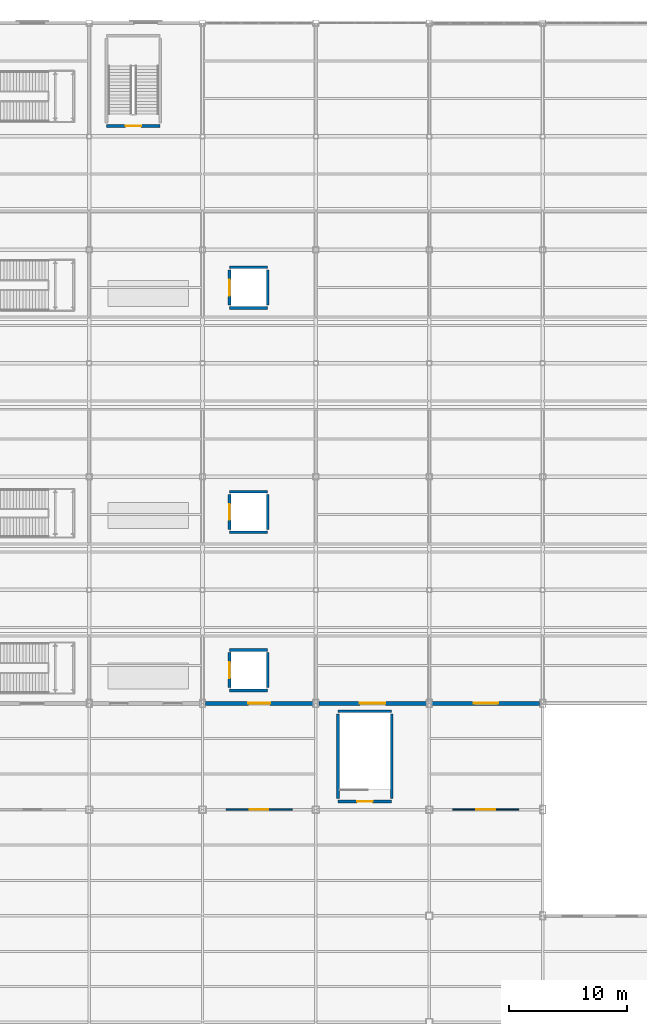
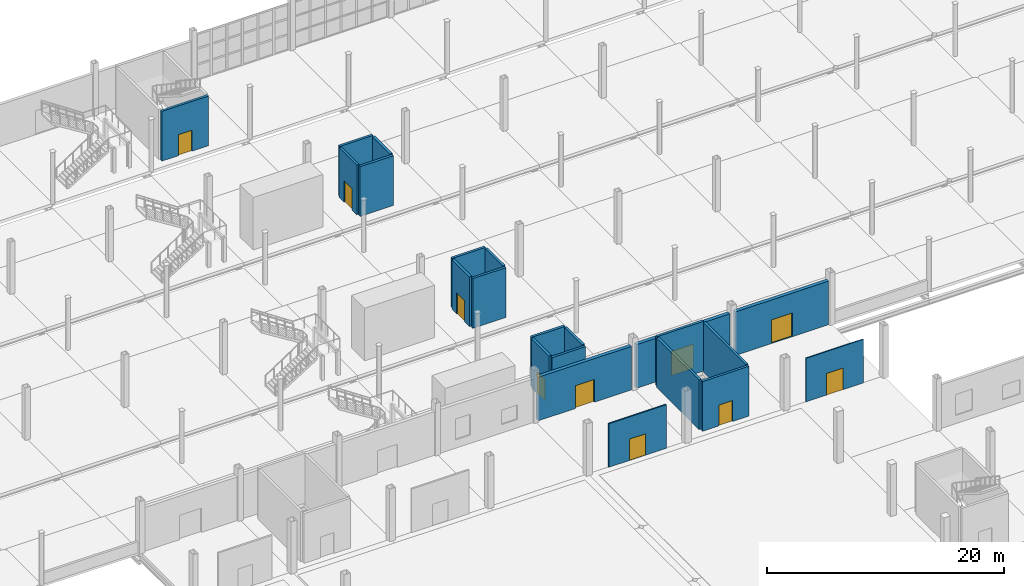
# One storey, part 70 of 85: 22 walls, 10 doors, 10 openings.
"""IFC4 building model written with IfcOpenShell, lengths in metres."""

import ifcopenshell
import ifcopenshell.guid

model = None  # the IFC model being written
_history = None  # IfcOwnerHistory: only IFC2X3 demands one
_inside = {}  # id of a spatial element -> (the spatial element, [elements in it])
_under = {}  # id of a project, library or spatial element -> (it, [spatial elements below it])
_declared = {}  # id of a project -> (the project, [libraries it declares])
_typed = {}  # id of a type object -> (the type object, [elements of that type])
_made_of = {}  # id of a material, layer set ... -> (it, [elements and type objects made of it])


def new_model(schema):
    """Start an empty IFC model of exactly this schema.

    Asked for "IFC4X3", IfcOpenShell would pick the latest addendum, in which some entities
    have other attributes; the version numbers below select the first issue.
    IFC2X3 requires an IfcOwnerHistory on every rooted entity: one is made here for all.
    """
    global model, _history
    if schema == "IFC4X3":
        model = ifcopenshell.file(schema_version=(4, 3, 0, 0))
    else:
        model = ifcopenshell.file(schema=schema)
    _inside.clear()
    _under.clear()
    _declared.clear()
    _typed.clear()
    _made_of.clear()
    _history = None
    if model.schema == "IFC2X3":
        org = make("IfcOrganization", Name="unknown")
        user = make(
            "IfcPersonAndOrganization",
            ThePerson=make("IfcPerson", FamilyName="unknown"),
            TheOrganization=org,
        )
        app = make(
            "IfcApplication",
            ApplicationDeveloper=org,
            Version="unknown",
            ApplicationFullName="unknown",
            ApplicationIdentifier="unknown",
        )
        _history = make(
            "IfcOwnerHistory",
            OwningUser=user,
            OwningApplication=app,
            ChangeAction="ADDED",
            CreationDate=0,
        )
    return model


def make(cls, **values):
    """One entity of the class cls with the attributes given. An attribute that is None is left unset."""
    return model.create_entity(
        cls, **{name: value for name, value in values.items() if value is not None}
    )


def rooted(cls, **values):
    """An entity with a GlobalId (a new one), such as an element, a storey or a relation."""
    return make(cls, GlobalId=ifcopenshell.guid.new(), OwnerHistory=_history, **values)


def si_unit(unit_type, name, prefix=None):
    """IfcSIUnit, for example si_unit("LENGTHUNIT", "METRE", prefix="MILLI")."""
    return make("IfcSIUnit", UnitType=unit_type, Prefix=prefix, Name=name)


def assignment(units):
    """IfcUnitAssignment: the units of a project."""
    return None if units is None else make("IfcUnitAssignment", Units=units)


def point(xyz):
    """IfcCartesianPoint."""
    return None if xyz is None else make("IfcCartesianPoint", Coordinates=xyz)


def direction(xyz):
    """IfcDirection."""
    return None if xyz is None else make("IfcDirection", DirectionRatios=xyz)


def frame(location, z_axis=None, x_axis=None):
    """IfcAxis2Placement3D, a coordinate frame: its origin and axes. An axis left out is left unset."""
    return make(
        "IfcAxis2Placement3D",
        Location=point(location),
        Axis=direction(z_axis),
        RefDirection=direction(x_axis),
    )


def frame_2d(location, x_axis=None):
    """IfcAxis2Placement2D, a coordinate frame in the plane: its origin and x axis."""
    return make(
        "IfcAxis2Placement2D", Location=point(location), RefDirection=direction(x_axis)
    )


def origin():
    """The frame at (0, 0, 0) with its axes left unset."""
    return frame((0.0, 0.0, 0.0))


def place(relative_to, where):
    """IfcLocalPlacement: puts the frame where relative to a parent placement (None: the world)."""
    return make(
        "IfcLocalPlacement", PlacementRelTo=relative_to, RelativePlacement=where
    )


def context(
    kind, dimensions, precision=None, world=None, true_north=None, identifier=None
):
    """IfcGeometricRepresentationContext, for example the 3D "Model" context."""
    return make(
        "IfcGeometricRepresentationContext",
        ContextIdentifier=identifier,
        ContextType=kind,
        CoordinateSpaceDimension=dimensions,
        Precision=precision,
        WorldCoordinateSystem=world,
        TrueNorth=true_north,
    )


def subcontext(parent, identifier, kind, view, scale=None):
    """IfcGeometricRepresentationSubContext, for example "Body" below "Model"."""
    return make(
        "IfcGeometricRepresentationSubContext",
        ContextIdentifier=identifier,
        ContextType=kind,
        ParentContext=parent,
        TargetScale=scale,
        TargetView=view,
    )


def project(units=None, contexts=None):
    """IfcProject with its units and contexts."""
    return rooted(
        "IfcProject",
        Name="project",
        RepresentationContexts=contexts,
        UnitsInContext=assignment(units),
    )


def spatial(cls, under=None, at=None, **own):
    """A site, building, storey or space (cls), placed at a placement, below another one or the project."""
    s = rooted(cls, ObjectPlacement=at, **own)
    if under is not None:
        _under.setdefault(under.id(), (under, []))[1].append(s)
    return s


def profile(cls, at=None, kind="AREA", **sizes):
    """A parametric profile (cls). Its sizes go by their IFC names, for example OverallWidth=200.0."""
    return make(cls, ProfileType=kind, Position=at, **sizes)


def rectangle(**sizes):
    """IfcRectangleProfileDef."""
    return profile("IfcRectangleProfileDef", **sizes)


def extrude(swept, where, along, depth):
    """IfcExtrudedAreaSolid: the profile swept, set in the frame where, extruded along a direction by depth."""
    return make(
        "IfcExtrudedAreaSolid",
        SweptArea=swept,
        Position=where,
        ExtrudedDirection=direction(along),
        Depth=depth,
    )


def shape(context_of_items, identifier, shape_type, items):
    """IfcShapeRepresentation: the items that make up one representation, for example the "Body"."""
    return make(
        "IfcShapeRepresentation",
        ContextOfItems=context_of_items,
        RepresentationIdentifier=identifier,
        RepresentationType=shape_type,
        Items=items,
    )


def material(Name=None, Category=None):
    """IfcMaterial."""
    return make("IfcMaterial", Name=Name, Category=Category)


def layer(
    of_material, thickness, ventilated=None, Name=None, Category=None, Priority=None
):
    """IfcMaterialLayer: one layer of a wall or slab, of a material (None: an air gap)."""
    return make(
        "IfcMaterialLayer",
        Material=of_material,
        LayerThickness=thickness,
        IsVentilated=ventilated,
        Name=Name,
        Category=Category,
        Priority=Priority,
    )


def layer_set(layers, Name=None):
    """IfcMaterialLayerSet."""
    return make("IfcMaterialLayerSet", MaterialLayers=layers, LayerSetName=Name)


def made_of(thing, what):
    """Note that an element or type object is made of a material, layer set ...; save() writes the relation."""
    if what is not None:
        _made_of.setdefault(what.id(), (what, []))[1].append(thing)
    return thing


def type_object(cls, material=None, **own):
    """A type object (cls), such as IfcWallType, which elements share."""
    return made_of(rooted(cls, **own), material)


def element(
    cls,
    number,
    at=None,
    inside=None,
    cuts=None,
    type_object=None,
    material=None,
    context=None,
    identifier="Body",
    shape_type=None,
    held_by="IfcProductDefinitionShape",
    body=None,
    shapes=None,
    **own,
):
    """One element of the class cls, such as IfcWall. Its Tag is "e" and its number.

    at: its placement. inside: the storey or other place that contains it. cuts: it is an
    opening in that element (IfcRelVoidsElement). A single representation is given by context,
    identifier, shape_type and body (its items); several are given by shapes. held_by: the class
    of the entity that holds the representations. save() writes the other relations.
    """
    e = rooted(cls, Tag="e%d" % number, ObjectPlacement=at, **own)
    if body is not None:
        shapes = [shape(context, identifier, shape_type, body)]
    if shapes is not None:
        e.Representation = make(held_by, Representations=shapes)
    if inside is not None:
        _inside.setdefault(inside.id(), (inside, []))[1].append(e)
    if cuts is not None:
        rooted(
            "IfcRelVoidsElement", RelatingBuildingElement=cuts, RelatedOpeningElement=e
        )
    if type_object is not None:
        _typed.setdefault(type_object.id(), (type_object, []))[1].append(e)
    return made_of(e, material)


def fill(opening, filler):
    """IfcRelFillsElement: the door or window that sits in an opening."""
    return rooted(
        "IfcRelFillsElement",
        RelatingOpeningElement=opening,
        RelatedBuildingElement=filler,
    )


def aggregate(whole, parts):
    """IfcRelAggregates: a whole, such as a stair, and the parts it consists of."""
    return rooted("IfcRelAggregates", RelatingObject=whole, RelatedObjects=parts)


def save(model, path):
    """Write the relations noted so far, then the file.

    IfcRelAggregates (storeys below a building ...), IfcRelContainedInSpatialStructure (elements
    in a storey), IfcRelDefinesByType, IfcRelAssociatesMaterial and IfcRelDeclares: one each for
    every whole, place, type object, material and project.
    """
    for whole, parts in _under.values():
        aggregate(whole, parts)
    for where, things in _inside.values():
        rooted(
            "IfcRelContainedInSpatialStructure",
            RelatedElements=things,
            RelatingStructure=where,
        )
    for kind, things in _typed.values():
        rooted("IfcRelDefinesByType", RelatedObjects=things, RelatingType=kind)
    for what, things in _made_of.values():
        rooted("IfcRelAssociatesMaterial", RelatedObjects=things, RelatingMaterial=what)
    for by, libraries in _declared.values():
        rooted("IfcRelDeclares", RelatingContext=by, RelatedDefinitions=libraries)
    model.write(path)


model = new_model("IFC4")

# Units and contexts
model_context = context("Model", 3, precision=1e-05, world=origin(), true_north=direction((0.0, 1.0)))
body_context = subcontext(model_context, "Body", "Model", "MODEL_VIEW")
ifc_project = project(units=[si_unit("LENGTHUNIT", "METRE"), si_unit("AREAUNIT", "SQUARE_METRE"), si_unit("VOLUMEUNIT", "CUBIC_METRE"), si_unit("PLANEANGLEUNIT", "RADIAN"), si_unit("MASSUNIT", "GRAM", prefix="KILO")], contexts=[model_context])

# Site, building, storey
site_placement = place(None, origin())
site = spatial("IfcSite", under=ifc_project, at=site_placement, CompositionType="ELEMENT")
building_placement = place(site_placement, origin())
building = spatial("IfcBuilding", under=site, at=building_placement, Name="Zarnetskaya Central Station", CompositionType="ELEMENT")
storey_placement = place(building_placement, origin())
storey = spatial("IfcBuildingStorey", under=building, at=storey_placement, Name="L00", CompositionType="ELEMENT", Elevation=0.0)

# Wall, opening, door
ifc_material_1 = material(Name="Gypsum stud partition")
ifc_layer_1 = layer(ifc_material_1, 0.10009765625, Name="Gypsum stud partition")
ifc_layer_set_1 = layer_set([ifc_layer_1], Name="Gypsum stud partition")
wall_type_1 = type_object("IfcWallType", Name="PART-LGT-100", PredefinedType="PARTITIONING", material=ifc_layer_set_1)
wall_1_placement = place(storey_placement, frame((122.800048828125, 58.199951171875, 0.0), z_axis=(0.0, 0.0, 1.0), x_axis=(-1.0, 0.0, 0.0)))
wall_1 = element("IfcWall", 1, at=wall_1_placement, inside=storey, type_object=wall_type_1, Name="Interior partition IPRT-L00-0390", PredefinedType="PARTITIONING", context=body_context, shape_type="SweptSolid", body=[
    extrude(rectangle(XDim=5.60009765625, YDim=0.10009765625, at=frame_2d((2.800048828125, 0.0))), origin(), (0.0, 0.0, 1.0), 4.489990234375),
])
opening_1_placement = place(wall_1_placement, frame((1.989990234375, 0.0, 0.0)))
opening_1 = element("IfcOpeningElement", 2, at=opening_1_placement, cuts=wall_1, Name="Opening DR-13", PredefinedType="OPENING", context=body_context, shape_type="SweptSolid", body=[
    extrude(rectangle(XDim=1.6201171875, YDim=2.219970703125, at=frame_2d((0.81005859375, 1.10986328125))), frame((0.0, 0.06005859375, 0.0), z_axis=(0.0, -1.0, 0.0), x_axis=(1.0, 0.0, 0.0)), (0.0, 0.0, 1.0), 0.1201171875),
])
ifc_material_2 = material(Name="Anodised aluminium", Category="aluminium")
door_type_1 = type_object("IfcDoorType", Name="DR-INT-16", OperationType="NOTDEFINED", PredefinedType="DOOR", material=ifc_material_2)
door_1_placement = place(opening_1_placement, origin())
door_1 = element("IfcDoor", 3, at=door_1_placement, inside=storey, type_object=door_type_1, Name="North Eaves Priority Waiting Salon door", OperationType="SINGLE_SWING_RIGHT", OverallHeight=2.219970703125, OverallWidth=1.6201171875, PredefinedType="DOOR", context=body_context, shape_type="SweptSolid", body=[
    extrude(rectangle(XDim=1.6201171875, YDim=2.219970703125, at=frame_2d((0.81005859375, 1.10986328125))), frame((0.0, 0.02490234375, 0.0), z_axis=(0.0, -1.0, 0.0), x_axis=(1.0, 0.0, 0.0)), (0.0, 0.0, 1.0), 0.050048828125),
])
fill(opening_1, door_1)

ifc_material_3 = material(Name="Gypsum acoustic partition")
ifc_layer_2 = layer(ifc_material_3, 0.1298828125, Name="Gypsum acoustic partition")
ifc_layer_set_2 = layer_set([ifc_layer_2], Name="Gypsum acoustic partition")
wall_type_2 = type_object("IfcWallType", Name="PART-OFF-130", PredefinedType="PARTITIONING", material=ifc_layer_set_2)
wall_2_placement = place(storey_placement, frame((103.60009765625, 58.199951171875, 0.0), z_axis=(0.0, 0.0, 1.0), x_axis=(-1.0, 0.0, 0.0)))
wall_2 = element("IfcWall", 4, at=wall_2_placement, inside=storey, type_object=wall_type_2, Name="Interior partition IPRT-L00-0389", PredefinedType="PARTITIONING", context=body_context, shape_type="SweptSolid", body=[
    extrude(rectangle(XDim=5.60009765625, YDim=0.1298828125, at=frame_2d((2.800048828125, 0.0))), origin(), (0.0, 0.0, 1.0), 4.489990234375),
])
opening_2_placement = place(wall_2_placement, frame((2.02001953125, 0.0, 0.0)))
opening_2 = element("IfcOpeningElement", 5, at=opening_2_placement, cuts=wall_2, Name="Opening DR-10", PredefinedType="OPENING", context=body_context, shape_type="SweptSolid", body=[
    extrude(rectangle(XDim=1.56005859375, YDim=2.199951171875, at=frame_2d((0.780029296875, 1.10009765625))), frame((0.0, 0.074951171875, 0.0), z_axis=(0.0, -1.0, 0.0), x_axis=(1.0, 0.0, 0.0)), (0.0, 0.0, 1.0), 0.14990234375),
])
door_type_2 = type_object("IfcDoorType", Name="DR-INT-15", OperationType="NOTDEFINED", PredefinedType="DOOR", material=ifc_material_2)
door_2_placement = place(opening_2_placement, origin())
door_2 = element("IfcDoor", 6, at=door_2_placement, inside=storey, type_object=door_type_2, Name="North Eaves Passenger Waiting Lounge East door", OperationType="SINGLE_SWING_LEFT", OverallHeight=2.199951171875, OverallWidth=1.56005859375, PredefinedType="DOOR", context=body_context, shape_type="SweptSolid", body=[
    extrude(rectangle(XDim=1.56005859375, YDim=2.199951171875, at=frame_2d((0.780029296875, 1.10009765625))), frame((0.0, 0.02490234375, 0.0), z_axis=(0.0, -1.0, 0.0), x_axis=(1.0, 0.0, 0.0)), (0.0, 0.0, 1.0), 0.050048828125),
])
fill(opening_2, door_2)

ifc_material_4 = material(Name="Precast concrete C40/50", Category="concrete")
ifc_layer_3 = layer(ifc_material_4, 0.340087890625, Name="Precast concrete C40/50", Category="concrete")
ifc_layer_set_3 = layer_set([ifc_layer_3], Name="Precast concrete C40/50")
wall_type_3 = type_object("IfcWallType", Name="WALL-EAVE-340", PredefinedType="SOLIDWALL", material=ifc_layer_set_3)
wall_3_placement = place(storey_placement, frame((96.25, 67.199951171875, 0.0), z_axis=(0.0, 0.0, 1.0), x_axis=(1.0, 0.0, 0.0)))
wall_3 = element("IfcWall", 7, at=wall_3_placement, inside=storey, type_object=wall_type_3, Name="Exterior precast wall EW-L00-962-672-1054-672", PredefinedType="SOLIDWALL", context=body_context, shape_type="SweptSolid", body=[
    extrude(rectangle(XDim=9.10009765625, YDim=0.340087890625, at=frame_2d((4.550048828125, 0.0))), origin(), (0.0, 0.0, 1.0), 4.489990234375),
])
opening_3_placement = place(wall_3_placement, frame((3.625, 0.0, 0.0)))
opening_3 = element("IfcOpeningElement", 8, at=opening_3_placement, cuts=wall_3, Name="Opening ED-11", PredefinedType="OPENING", context=body_context, shape_type="SweptSolid", body=[
    extrude(rectangle(XDim=1.85009765625, YDim=2.35009765625, at=frame_2d((0.925048828125, 1.175048828125))), frame((0.0, 0.18017578125, 0.0), z_axis=(0.0, -1.0, 0.0), x_axis=(1.0, 0.0, 0.0)), (0.0, 0.0, 1.0), 0.360107421875),
])
door_type_3 = type_object("IfcDoorType", Name="DR-EXT-185x235", OperationType="NOTDEFINED", PredefinedType="DOOR", material=ifc_material_2)
door_3_placement = place(opening_3_placement, origin())
door_3 = element("IfcDoor", 9, at=door_3_placement, inside=storey, type_object=door_type_3, Name="Pedestrian final exit door ED-16", OperationType="DOUBLE_DOOR_SINGLE_SWING", OverallHeight=2.35009765625, OverallWidth=1.85009765625, PredefinedType="DOOR", context=body_context, shape_type="SweptSolid", body=[
    extrude(rectangle(XDim=1.85009765625, YDim=2.35009765625, at=frame_2d((0.925048828125, 1.175048828125))), frame((0.0, 0.02490234375, 0.0), z_axis=(0.0, -1.0, 0.0), x_axis=(1.0, 0.0, 0.0)), (0.0, 0.0, 1.0), 0.050048828125),
])
fill(opening_3, door_3)

wall_4_placement = place(storey_placement, frame((105.85009765625, 67.199951171875, 0.0), z_axis=(0.0, 0.0, 1.0), x_axis=(1.0, 0.0, 0.0)))
wall_4 = element("IfcWall", 10, at=wall_4_placement, inside=storey, type_object=wall_type_3, Name="Exterior precast wall EW-L00-1058-672-1150-672", PredefinedType="SOLIDWALL", context=body_context, shape_type="SweptSolid", body=[
    extrude(rectangle(XDim=9.099853515625, YDim=0.340087890625, at=frame_2d((4.5498046875, 0.0))), origin(), (0.0, 0.0, 1.0), 4.489990234375),
])
opening_4_placement = place(wall_4_placement, frame((3.47509765625, 0.0, 0.0)))
opening_4 = element("IfcOpeningElement", 11, at=opening_4_placement, cuts=wall_4, Name="Opening ED-13", PredefinedType="OPENING", context=body_context, shape_type="SweptSolid", body=[
    extrude(rectangle(XDim=2.14990234375, YDim=2.5, at=frame_2d((1.074951171875, 1.25))), frame((0.0, 0.18017578125, 0.0), z_axis=(0.0, -1.0, 0.0), x_axis=(1.0, 0.0, 0.0)), (0.0, 0.0, 1.0), 0.360107421875),
])
door_type_4 = type_object("IfcDoorType", Name="DR-EXT-215x250", OperationType="NOTDEFINED", PredefinedType="DOOR", material=ifc_material_2)
door_4_placement = place(opening_4_placement, origin())
door_4 = element("IfcDoor", 12, at=door_4_placement, inside=storey, type_object=door_type_4, Name="Pedestrian final exit door ED-18", OperationType="DOUBLE_DOOR_SINGLE_SWING", OverallHeight=2.5, OverallWidth=2.14990234375, PredefinedType="DOOR", context=body_context, shape_type="SweptSolid", body=[
    extrude(rectangle(XDim=2.14990234375, YDim=2.5, at=frame_2d((1.074951171875, 1.25))), frame((0.0, 0.02490234375, 0.0), z_axis=(0.0, -1.0, 0.0), x_axis=(1.0, 0.0, 0.0)), (0.0, 0.0, 1.0), 0.050048828125),
])
fill(opening_4, door_4)

wall_5_placement = place(storey_placement, frame((115.449951171875, 67.199951171875, 0.0), z_axis=(0.0, 0.0, 1.0), x_axis=(1.0, 0.0, 0.0)))
wall_5 = element("IfcWall", 13, at=wall_5_placement, inside=storey, type_object=wall_type_3, Name="Exterior precast wall EW-L00-1154-672-1246-672", PredefinedType="SOLIDWALL", context=body_context, shape_type="SweptSolid", body=[
    extrude(rectangle(XDim=9.10009765625, YDim=0.340087890625, at=frame_2d((4.550048828125, 0.0))), origin(), (0.0, 0.0, 1.0), 4.489990234375),
])
opening_5_placement = place(wall_5_placement, frame((3.52490234375, 0.0, 0.0)))
opening_5 = element("IfcOpeningElement", 14, at=opening_5_placement, cuts=wall_5, Name="Opening ED-14", PredefinedType="OPENING", context=body_context, shape_type="SweptSolid", body=[
    extrude(rectangle(XDim=2.050048828125, YDim=2.449951171875, at=frame_2d((1.02490234375, 1.22509765625))), frame((0.0, 0.18017578125, 0.0), z_axis=(0.0, -1.0, 0.0), x_axis=(1.0, 0.0, 0.0)), (0.0, 0.0, 1.0), 0.360107421875),
])
door_type_5 = type_object("IfcDoorType", Name="DR-EXT-205x245", OperationType="NOTDEFINED", PredefinedType="DOOR", material=ifc_material_2)
door_5_placement = place(opening_5_placement, origin())
door_5 = element("IfcDoor", 15, at=door_5_placement, inside=storey, type_object=door_type_5, Name="Pedestrian final exit door ED-20", OperationType="DOUBLE_DOOR_SINGLE_SWING", OverallHeight=2.449951171875, OverallWidth=2.050048828125, PredefinedType="DOOR", context=body_context, shape_type="SweptSolid", body=[
    extrude(rectangle(XDim=2.050048828125, YDim=2.449951171875, at=frame_2d((1.02490234375, 1.22509765625))), frame((0.0, 0.02490234375, 0.0), z_axis=(0.0, -1.0, 0.0), x_axis=(1.0, 0.0, 0.0)), (0.0, 0.0, 1.0), 0.050048828125),
])
fill(opening_5, door_5)

# Walls
ifc_material_5 = material(Name="Concrete C35/45", Category="concrete")
ifc_layer_4 = layer(ifc_material_5, 0.239990234375, Name="Concrete C35/45", Category="concrete")
ifc_layer_set_4 = layer_set([ifc_layer_4], Name="Concrete C35/45")
wall_type_4 = type_object("IfcWallType", Name="WALL-SHFT-240", PredefinedType="SHEAR", material=ifc_layer_set_4)
for number, where, z_axis, x_axis, name in (
    (16, (101.52001953125, 68.280029296875, 0.0), (0.0, 0.0, 1.0), (-1.0, 0.0, 0.0), "Core shear wall WSHF-L00-0141"),
    (17, (98.280029296875, 71.719970703125, 0.0), (0.0, 0.0, 1.0), (1.0, 0.0, 0.0), "Core shear wall WSHF-L00-0142"),
):
    element("IfcWall", number, at=place(storey_placement, frame(where, z_axis=z_axis, x_axis=x_axis)), inside=storey, type_object=wall_type_4, Name=name, PredefinedType="SHEAR", context=body_context, shape_type="SweptSolid", body=[
        extrude(rectangle(XDim=3.239990234375, YDim=0.239990234375, at=frame_2d((1.6201171875, 0.0))), origin(), (0.0, 0.0, 1.0), 5.1201171875),
    ])

# Wall, opening, door
wall_6_placement = place(storey_placement, frame((98.280029296875, 68.52001953125, 0.0), z_axis=(0.0, 0.0, 1.0), x_axis=(0.0, 1.0, 0.0)))
wall_6 = element("IfcWall", 18, at=wall_6_placement, inside=storey, type_object=wall_type_4, Name="Core shear wall WSHF-L00-0143", PredefinedType="SHEAR", context=body_context, shape_type="SweptSolid", body=[
    extrude(rectangle(XDim=2.9599609375, YDim=0.239990234375, at=frame_2d((1.47998046875, 0.0))), origin(), (0.0, 0.0, 1.0), 5.1201171875),
])
opening_6_placement = place(wall_6_placement, frame((0.81005859375, 0.0, 0.0)))
opening_6 = element("IfcOpeningElement", 19, at=opening_6_placement, cuts=wall_6, Name="Opening DR-23", PredefinedType="OPENING", context=body_context, shape_type="SweptSolid", body=[
    extrude(rectangle(XDim=1.340087890625, YDim=2.179931640625, at=frame_2d((0.669921875, 1.08984375))), frame((0.0, 0.1298828125, 0.0), z_axis=(0.0, -1.0, 0.0), x_axis=(1.0, 0.0, 0.0)), (0.0, 0.0, 1.0), 0.260009765625),
])
door_type_6 = type_object("IfcDoorType", Name="DR-LIFT-PLAT", OperationType="NOTDEFINED", PredefinedType="DOOR", material=ifc_material_2)
door_6_placement = place(opening_6_placement, origin())
door_6 = element("IfcDoor", 20, at=door_6_placement, inside=storey, type_object=door_type_6, Name="Lift landing sliding door LP-04 L00", OperationType="DOUBLE_DOOR_SLIDING", OverallHeight=2.179931640625, OverallWidth=1.340087890625, PredefinedType="DOOR", context=body_context, shape_type="SweptSolid", body=[
    extrude(rectangle(XDim=1.340087890625, YDim=2.179931640625, at=frame_2d((0.669921875, 1.08984375))), frame((0.0, 0.02490234375, 0.0), z_axis=(0.0, -1.0, 0.0), x_axis=(1.0, 0.0, 0.0)), (0.0, 0.0, 1.0), 0.050048828125),
])
fill(opening_6, door_6)

# Walls
wall_7_placement = place(storey_placement, frame((101.52001953125, 71.47998046875, 0.0), z_axis=(0.0, 0.0, 1.0), x_axis=(0.0, -1.0, 0.0)))
element("IfcWall", 21, at=wall_7_placement, inside=storey, type_object=wall_type_4, Name="Core shear wall WSHF-L00-0144", PredefinedType="SHEAR", context=body_context, shape_type="SweptSolid", body=[
    extrude(rectangle(XDim=2.9599609375, YDim=0.239990234375, at=frame_2d((1.47998046875, 0.0))), origin(), (0.0, 0.0, 1.0), 5.1201171875),
])
for number, where, z_axis, x_axis, name in (
    (22, (101.52001953125, 81.679931640625, 0.0), (0.0, 0.0, 1.0), (-1.0, 0.0, 0.0), "Core shear wall WSHF-L00-0153"),
    (23, (98.280029296875, 85.1201171875, 0.0), (0.0, 0.0, 1.0), (1.0, 0.0, 0.0), "Core shear wall WSHF-L00-0154"),
):
    element("IfcWall", number, at=place(storey_placement, frame(where, z_axis=z_axis, x_axis=x_axis)), inside=storey, type_object=wall_type_4, Name=name, PredefinedType="SHEAR", context=body_context, shape_type="SweptSolid", body=[
        extrude(rectangle(XDim=3.239990234375, YDim=0.239990234375, at=frame_2d((1.6201171875, 0.0))), origin(), (0.0, 0.0, 1.0), 5.1201171875),
    ])

# Wall, opening, door
wall_8_placement = place(storey_placement, frame((98.280029296875, 81.919921875, 0.0), z_axis=(0.0, 0.0, 1.0), x_axis=(0.0, 1.0, 0.0)))
wall_8 = element("IfcWall", 24, at=wall_8_placement, inside=storey, type_object=wall_type_4, Name="Core shear wall WSHF-L00-0155", PredefinedType="SHEAR", context=body_context, shape_type="SweptSolid", body=[
    extrude(rectangle(XDim=2.9599609375, YDim=0.239990234375, at=frame_2d((1.47998046875, 0.0))), origin(), (0.0, 0.0, 1.0), 5.1201171875),
])
opening_7_placement = place(wall_8_placement, frame((0.81005859375, 0.0, 0.0)))
opening_7 = element("IfcOpeningElement", 25, at=opening_7_placement, cuts=wall_8, Name="Opening DR-23", PredefinedType="OPENING", context=body_context, shape_type="SweptSolid", body=[
    extrude(rectangle(XDim=1.340087890625, YDim=2.179931640625, at=frame_2d((0.669921875, 1.08984375))), frame((0.0, 0.1298828125, 0.0), z_axis=(0.0, -1.0, 0.0), x_axis=(1.0, 0.0, 0.0)), (0.0, 0.0, 1.0), 0.260009765625),
])
door_7_placement = place(opening_7_placement, origin())
door_7 = element("IfcDoor", 26, at=door_7_placement, inside=storey, type_object=door_type_6, Name="Lift landing sliding door LP-05 L00", OperationType="DOUBLE_DOOR_SLIDING", OverallHeight=2.179931640625, OverallWidth=1.340087890625, PredefinedType="DOOR", context=body_context, shape_type="SweptSolid", body=[
    extrude(rectangle(XDim=1.340087890625, YDim=2.179931640625, at=frame_2d((0.669921875, 1.08984375))), frame((0.0, 0.02490234375, 0.0), z_axis=(0.0, -1.0, 0.0), x_axis=(1.0, 0.0, 0.0)), (0.0, 0.0, 1.0), 0.050048828125),
])
fill(opening_7, door_7)

# Walls
wall_9_placement = place(storey_placement, frame((101.52001953125, 84.8798828125, 0.0), z_axis=(0.0, 0.0, 1.0), x_axis=(0.0, -1.0, 0.0)))
element("IfcWall", 27, at=wall_9_placement, inside=storey, type_object=wall_type_4, Name="Core shear wall WSHF-L00-0156", PredefinedType="SHEAR", context=body_context, shape_type="SweptSolid", body=[
    extrude(rectangle(XDim=2.9599609375, YDim=0.239990234375, at=frame_2d((1.47998046875, 0.0))), origin(), (0.0, 0.0, 1.0), 5.1201171875),
])
for number, where, z_axis, x_axis, name in (
    (28, (101.52001953125, 100.679931640625, 0.0), (0.0, 0.0, 1.0), (-1.0, 0.0, 0.0), "Core shear wall WSHF-L00-0165"),
    (29, (98.280029296875, 104.1201171875, 0.0), (0.0, 0.0, 1.0), (1.0, 0.0, 0.0), "Core shear wall WSHF-L00-0166"),
):
    element("IfcWall", number, at=place(storey_placement, frame(where, z_axis=z_axis, x_axis=x_axis)), inside=storey, type_object=wall_type_4, Name=name, PredefinedType="SHEAR", context=body_context, shape_type="SweptSolid", body=[
        extrude(rectangle(XDim=3.239990234375, YDim=0.239990234375, at=frame_2d((1.6201171875, 0.0))), origin(), (0.0, 0.0, 1.0), 5.1201171875),
    ])

# Wall, opening, door
wall_10_placement = place(storey_placement, frame((98.280029296875, 100.919921875, 0.0), z_axis=(0.0, 0.0, 1.0), x_axis=(0.0, 1.0, 0.0)))
wall_10 = element("IfcWall", 30, at=wall_10_placement, inside=storey, type_object=wall_type_4, Name="Core shear wall WSHF-L00-0167", PredefinedType="SHEAR", context=body_context, shape_type="SweptSolid", body=[
    extrude(rectangle(XDim=2.9599609375, YDim=0.239990234375, at=frame_2d((1.47998046875, 0.0))), origin(), (0.0, 0.0, 1.0), 5.1201171875),
])
opening_8_placement = place(wall_10_placement, frame((0.81005859375, 0.0, 0.0)))
opening_8 = element("IfcOpeningElement", 31, at=opening_8_placement, cuts=wall_10, Name="Opening DR-23", PredefinedType="OPENING", context=body_context, shape_type="SweptSolid", body=[
    extrude(rectangle(XDim=1.340087890625, YDim=2.179931640625, at=frame_2d((0.669921875, 1.08984375))), frame((0.0, 0.1298828125, 0.0), z_axis=(0.0, -1.0, 0.0), x_axis=(1.0, 0.0, 0.0)), (0.0, 0.0, 1.0), 0.260009765625),
])
door_8_placement = place(opening_8_placement, origin())
door_8 = element("IfcDoor", 32, at=door_8_placement, inside=storey, type_object=door_type_6, Name="Lift landing sliding door LP-06 L00", OperationType="DOUBLE_DOOR_SLIDING", OverallHeight=2.179931640625, OverallWidth=1.340087890625, PredefinedType="DOOR", context=body_context, shape_type="SweptSolid", body=[
    extrude(rectangle(XDim=1.340087890625, YDim=2.179931640625, at=frame_2d((0.669921875, 1.08984375))), frame((0.0, 0.02490234375, 0.0), z_axis=(0.0, -1.0, 0.0), x_axis=(1.0, 0.0, 0.0)), (0.0, 0.0, 1.0), 0.050048828125),
])
fill(opening_8, door_8)

# Wall
wall_11_placement = place(storey_placement, frame((101.52001953125, 103.8798828125, 0.0), z_axis=(0.0, 0.0, 1.0), x_axis=(0.0, -1.0, 0.0)))
element("IfcWall", 33, at=wall_11_placement, inside=storey, type_object=wall_type_4, Name="Core shear wall WSHF-L00-0168", PredefinedType="SHEAR", context=body_context, shape_type="SweptSolid", body=[
    extrude(rectangle(XDim=2.9599609375, YDim=0.239990234375, at=frame_2d((1.47998046875, 0.0))), origin(), (0.0, 0.0, 1.0), 5.1201171875),
])

# Wall, opening, door
wall_12_placement = place(storey_placement, frame((112.02001953125, 58.8798828125, 0.0), z_axis=(0.0, 0.0, 1.0), x_axis=(-1.0, 0.0, 0.0)))
wall_12 = element("IfcWall", 34, at=wall_12_placement, inside=storey, type_object=wall_type_4, Name="Core shear wall WSTR-L00-0313", PredefinedType="SHEAR", context=body_context, shape_type="SweptSolid", body=[
    extrude(rectangle(XDim=4.5400390625, YDim=0.239990234375, at=frame_2d((2.27001953125, 0.0))), origin(), (0.0, 0.0, 1.0), 5.1201171875),
])
opening_9_placement = place(wall_12_placement, frame((1.610107421875, 0.0, 0.0)))
opening_9 = element("IfcOpeningElement", 35, at=opening_9_placement, cuts=wall_12, Name="Opening DR-FD60", PredefinedType="OPENING", context=body_context, shape_type="SweptSolid", body=[
    extrude(rectangle(XDim=1.320068359375, YDim=2.14990234375, at=frame_2d((0.66015625, 1.074951171875))), frame((0.0, 0.1298828125, 0.0), z_axis=(0.0, -1.0, 0.0), x_axis=(1.0, 0.0, 0.0)), (0.0, 0.0, 1.0), 0.260009765625),
])
door_type_7 = type_object("IfcDoorType", Name="DR-FIRE-STAIR", OperationType="NOTDEFINED", PredefinedType="DOOR", material=ifc_material_2)
door_9_placement = place(opening_9_placement, origin())
door_9 = element("IfcDoor", 36, at=door_9_placement, inside=storey, type_object=door_type_7, Name="Protected exit stair door ST-U2 L00", OperationType="SINGLE_SWING_LEFT", OverallHeight=2.14990234375, OverallWidth=1.320068359375, PredefinedType="DOOR", context=body_context, shape_type="SweptSolid", body=[
    extrude(rectangle(XDim=1.320068359375, YDim=2.14990234375, at=frame_2d((0.66015625, 1.074951171875))), frame((0.0, 0.02490234375, 0.0), z_axis=(0.0, -1.0, 0.0), x_axis=(1.0, 0.0, 0.0)), (0.0, 0.0, 1.0), 0.050048828125),
])
fill(opening_9, door_9)

# Walls
wall_13_placement = place(storey_placement, frame((107.47998046875, 66.52001953125, 0.0), z_axis=(0.0, 0.0, 1.0), x_axis=(1.0, 0.0, 0.0)))
element("IfcWall", 37, at=wall_13_placement, inside=storey, type_object=wall_type_4, Name="Core shear wall WSTR-L00-0314", PredefinedType="SHEAR", context=body_context, shape_type="SweptSolid", body=[
    extrude(rectangle(XDim=4.5400390625, YDim=0.239990234375, at=frame_2d((2.27001953125, 0.0))), origin(), (0.0, 0.0, 1.0), 5.1201171875),
])
for number, where, z_axis, x_axis, name in (
    (38, (107.47998046875, 59.1201171875, 0.0), (0.0, 0.0, 1.0), (0.0, 1.0, 0.0), "Core shear wall WSTR-L00-0315"),
    (39, (112.02001953125, 66.280029296875, 0.0), (0.0, 0.0, 1.0), (0.0, -1.0, 0.0), "Core shear wall WSTR-L00-0316"),
):
    element("IfcWall", number, at=place(storey_placement, frame(where, z_axis=z_axis, x_axis=x_axis)), inside=storey, type_object=wall_type_4, Name=name, PredefinedType="SHEAR", context=body_context, shape_type="SweptSolid", body=[
        extrude(rectangle(XDim=7.159912109375, YDim=0.239990234375, at=frame_2d((3.580078125, 0.0))), origin(), (0.0, 0.0, 1.0), 5.1201171875),
    ])

# Wall, opening, door
wall_14_placement = place(storey_placement, frame((92.419921875, 116.080078125, 0.0), z_axis=(0.0, 0.0, 1.0), x_axis=(-1.0, 0.0, 0.0)))
wall_14 = element("IfcWall", 40, at=wall_14_placement, inside=storey, type_object=wall_type_4, Name="Core shear wall WSTR-L00-0321", PredefinedType="SHEAR", context=body_context, shape_type="SweptSolid", body=[
    extrude(rectangle(XDim=4.5400390625, YDim=0.239990234375, at=frame_2d((2.27001953125, 0.0))), origin(), (0.0, 0.0, 1.0), 5.1201171875),
])
opening_10_placement = place(wall_14_placement, frame((1.610107421875, 0.0, 0.0)))
opening_10 = element("IfcOpeningElement", 41, at=opening_10_placement, cuts=wall_14, Name="Opening DR-FD60", PredefinedType="OPENING", context=body_context, shape_type="SweptSolid", body=[
    extrude(rectangle(XDim=1.320068359375, YDim=2.14990234375, at=frame_2d((0.66015625, 1.074951171875))), frame((0.0, 0.1298828125, 0.0), z_axis=(0.0, -1.0, 0.0), x_axis=(1.0, 0.0, 0.0)), (0.0, 0.0, 1.0), 0.260009765625),
])
door_10_placement = place(opening_10_placement, origin())
door_10 = element("IfcDoor", 42, at=door_10_placement, inside=storey, type_object=door_type_7, Name="Protected exit stair door ST-B1 L00", OperationType="SINGLE_SWING_LEFT", OverallHeight=2.14990234375, OverallWidth=1.320068359375, PredefinedType="DOOR", context=body_context, shape_type="SweptSolid", body=[
    extrude(rectangle(XDim=1.320068359375, YDim=2.14990234375, at=frame_2d((0.66015625, 1.074951171875))), frame((0.0, 0.02490234375, 0.0), z_axis=(0.0, -1.0, 0.0), x_axis=(1.0, 0.0, 0.0)), (0.0, 0.0, 1.0), 0.050048828125),
])
fill(opening_10, door_10)

save(model, "model.ifc")
